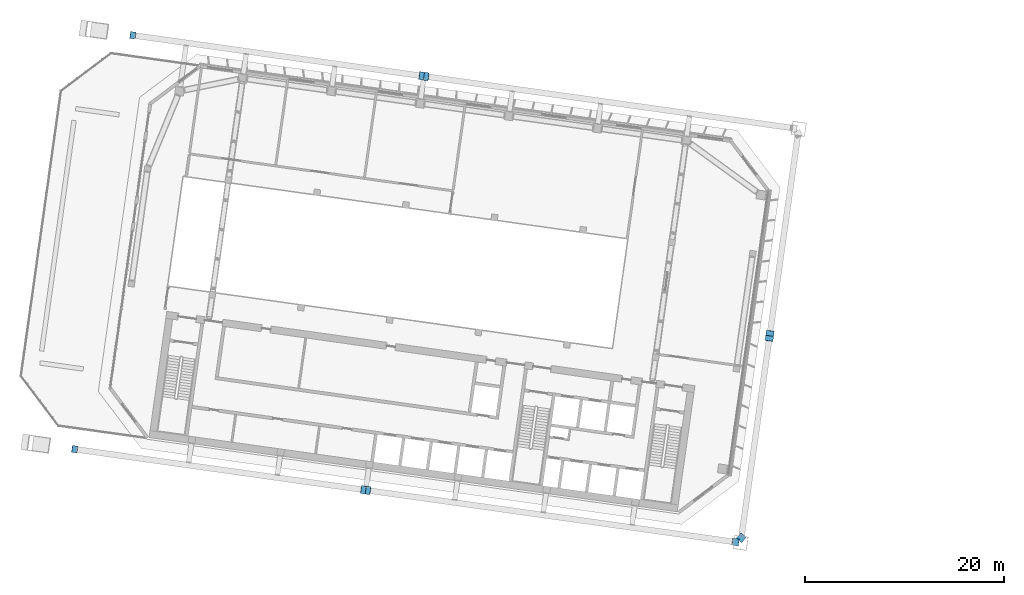
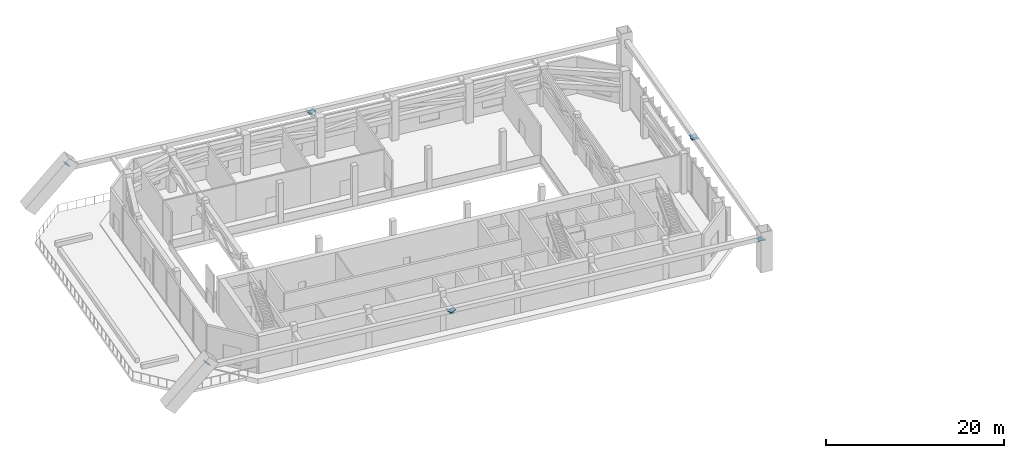
# One storey, part 27 of 41: 10 discrete accessories.
"""IFC4 building model written with IfcOpenShell, lengths in metres."""

from ifc_helpers import new_model, si_unit, direction, frame, origin, origin_2d, place, context, subcontext, project, spatial, rectangle, extrude, material, material_profile, profile_set, type_object, element, save


model = new_model("IFC4")

# Units and contexts
model_context = context("Model", 3, precision=1e-05, world=origin(), true_north=direction((0.0, 1.0)))
body_context = subcontext(model_context, "Body", "Model", "MODEL_VIEW")
ifc_project = project(units=[si_unit("LENGTHUNIT", "METRE"), si_unit("AREAUNIT", "SQUARE_METRE"), si_unit("VOLUMEUNIT", "CUBIC_METRE"), si_unit("PLANEANGLEUNIT", "RADIAN"), si_unit("MASSUNIT", "GRAM", prefix="KILO")], contexts=[model_context])

# Site, building, storey
site_placement = place(None, origin())
site = spatial("IfcSite", under=ifc_project, at=site_placement, CompositionType="ELEMENT")
building_placement = place(site_placement, origin())
building = spatial("IfcBuilding", under=site, at=building_placement, Name="Mirante Cascada Hotel Towers", CompositionType="ELEMENT")
storey_placement = place(building_placement, frame((0.0, 0.0, 151.9)))
storey = spatial("IfcBuildingStorey", under=building, at=storey_placement, Name="L35", CompositionType="ELEMENT", Elevation=151.9)

# Discrete accessories
ifc_material_1 = material(Name="Steel ASTM A572 Gr 50", Category="steel")
ifc_material_profile_1 = material_profile(ifc_material_1, rectangle(XDim=0.7, YDim=0.7, at=origin_2d()), Name="Connection plate 700x700x25 ASTM A572 Gr 50")
ifc_profile_set_1 = profile_set([ifc_material_profile_1], Name="Steel ASTM A572 Gr 50")
discrete_accessory_type_1 = type_object("IfcDiscreteAccessoryType", Name="Connection plate 700x700x25 ASTM A572 Gr 50", PredefinedType="BRACKET", material=ifc_profile_set_1)
for number, where, z_axis, x_axis, name in (
    (1, (-91.9824, 27.9174, 4.7858), (0.6242198, -0.088031, 0.7762733), (0.1396438, 0.9902018, 0.0), "Connection plate MB-FL35R"),
    (2, (-31.4152, -23.0075, 4.1947), (-0.3075231, 0.0439319, 0.9505259), (-0.1414214, -0.9899495, 0.0), "Connection plate MB-RL35L"),
):
    element("IfcDiscreteAccessory", number, at=place(storey_placement, frame(where, z_axis=z_axis, x_axis=x_axis)), inside=storey, type_object=discrete_accessory_type_1, Name=name, PredefinedType="BRACKET", context=body_context, shape_type="SweptSolid", body=[
        extrude(rectangle(XDim=0.7, YDim=0.7, at=origin_2d()), origin(), (0.0, 0.0, 1.0), 0.025),
    ])
discrete_accessory_1_placement = place(storey_placement, frame((-97.8276, -13.6738, 4.7858), z_axis=(0.6217683, -0.088251, 0.7782133), x_axis=(0.140527, 0.9900768, 0.0)))
element("IfcDiscreteAccessory", 3, at=discrete_accessory_1_placement, inside=storey, type_object=discrete_accessory_type_1, Name="Connection plate MB-RL35R", PredefinedType="BRACKET", context=body_context, shape_type="SweptSolid", body=[
    extrude(rectangle(XDim=0.7, YDim=0.7, at=origin_2d()), origin(), (0.0, 0.0, 1.0), 0.0249),
])
discrete_accessory_2_placement = place(storey_placement, frame((-30.8381, -22.5791, 3.6203), z_axis=(0.1597777, 0.17975, 0.9706498), x_axis=(-0.7474093, 0.6643638, 0.0)))
element("IfcDiscreteAccessory", 4, at=discrete_accessory_2_placement, inside=storey, type_object=discrete_accessory_type_1, Name="Connection plate MB-IL35L", PredefinedType="BRACKET", context=body_context, shape_type="SweptSolid", body=[
    extrude(rectangle(XDim=0.7, YDim=0.7, at=origin_2d()), origin(), (0.0, 0.0, 1.0), 0.025),
])
ifc_material_2 = material(Name="Steel ASTM A572 Gr 50", Category="steel")
ifc_material_profile_2 = material_profile(ifc_material_2, rectangle(XDim=0.8, YDim=0.8, at=origin_2d()), Name="Connection plate 800x800x25 ASTM A572 Gr 50")
ifc_profile_set_2 = profile_set([ifc_material_profile_2], Name="Steel ASTM A572 Gr 50")
discrete_accessory_type_2 = type_object("IfcDiscreteAccessoryType", Name="Connection plate 800x800x25 ASTM A572 Gr 50", PredefinedType="BRACKET", material=ifc_profile_set_2)
discrete_accessory_3_placement = place(storey_placement, frame((-62.5817, 23.7854, 4.2236), z_axis=(-0.5363563, 0.0760505, 0.8405583), x_axis=(-0.1403868, -0.9900967, 0.0)))
element("IfcDiscreteAccessory", 5, at=discrete_accessory_3_placement, inside=storey, type_object=discrete_accessory_type_2, Name="Connection plate MB-FL20L", PredefinedType="BRACKET", context=body_context, shape_type="SweptSolid", body=[
    extrude(rectangle(XDim=0.8, YDim=0.8, at=origin_2d()), origin(), (0.0, 0.0, 1.0), 0.025),
])
for number, where, z_axis, x_axis, name in (
    (6, (-62.8723, 23.8263, 4.2236), (0.5334959, -0.0762137, 0.8423619), (0.1414214, 0.9899495, 0.0), "Connection plate MB-FL20R"),
    (7, (-68.427, -17.8058, 4.2236), (-0.5334959, 0.0762137, 0.8423619), (-0.1414214, -0.9899495, 0.0), "Connection plate MB-RL20L"),
):
    element("IfcDiscreteAccessory", number, at=place(storey_placement, frame(where, z_axis=z_axis, x_axis=x_axis)), inside=storey, type_object=discrete_accessory_type_2, Name=name, PredefinedType="BRACKET", context=body_context, shape_type="SweptSolid", body=[
        extrude(rectangle(XDim=0.8, YDim=0.8, at=origin_2d()), origin(), (0.0, 0.0, 1.0), 0.0249),
    ])
for number, where, z_axis, x_axis, name in (
    (8, (-68.7176, -17.765, 4.2236), (0.5363563, -0.0760505, 0.8405583), (0.1403868, 0.9900967, 0.0), "Connection plate MB-RL20R"),
    (9, (-28.0041, -2.426, 4.3072), (0.044043, 0.3243167, 0.9449227), (-0.9909045, 0.1345673, 0.0), "Connection plate MB-IL20L"),
    (10, (-27.964, -2.1406, 4.3072), (-0.044043, -0.3243167, 0.9449227), (0.9909045, -0.1345673, 0.0), "Connection plate MB-IL20R"),
):
    element("IfcDiscreteAccessory", number, at=place(storey_placement, frame(where, z_axis=z_axis, x_axis=x_axis)), inside=storey, type_object=discrete_accessory_type_2, Name=name, PredefinedType="BRACKET", context=body_context, shape_type="SweptSolid", body=[
        extrude(rectangle(XDim=0.8, YDim=0.8, at=origin_2d()), origin(), (0.0, 0.0, 1.0), 0.025),
    ])

save(model, "model.ifc")
